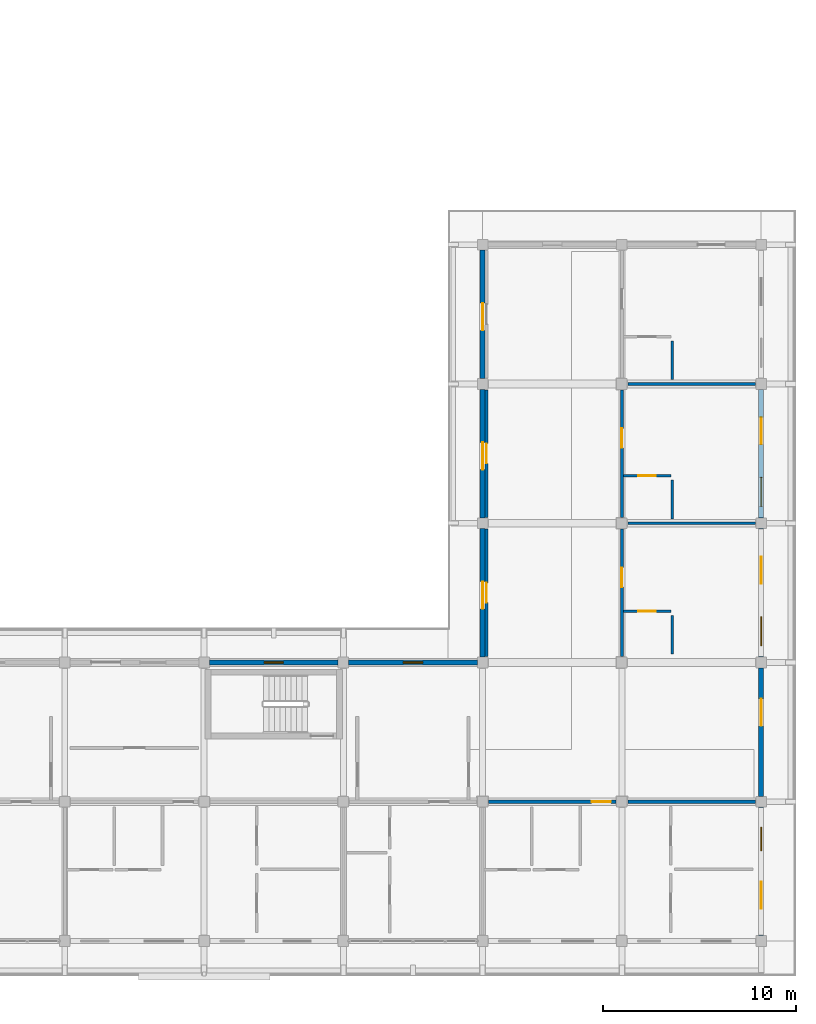
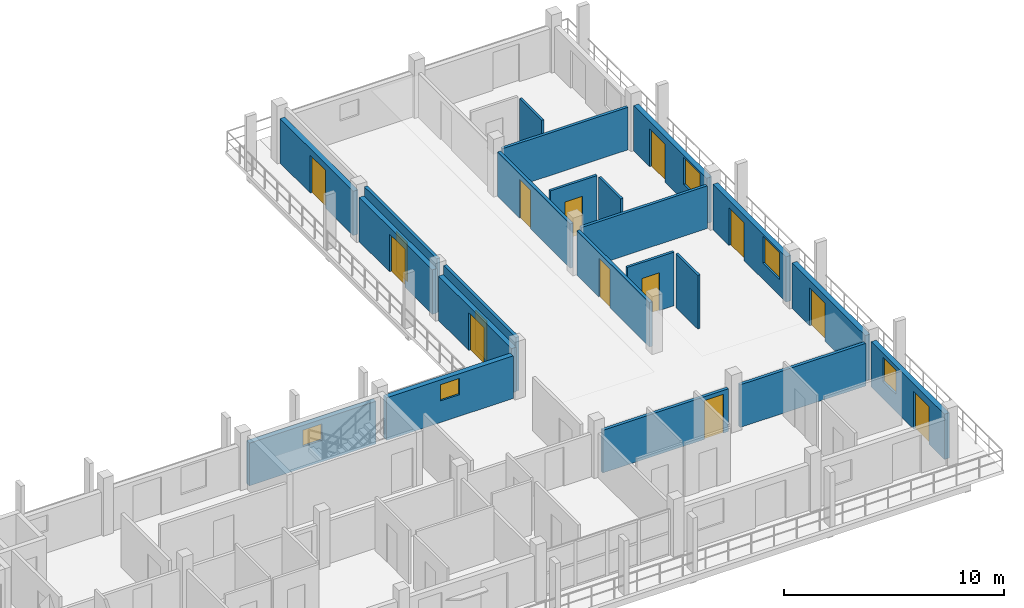
# One storey, part 47 of 73: 22 walls, 14 doors, 5 windows, 19 openings.
"""IFC4 building model written with IfcOpenShell, lengths in metres."""

from ifc_helpers import new_model, si_unit, direction, frame, frame_2d, origin, place, context, subcontext, project, spatial, rectangle, extrude, material, layer, layer_set, type_object, element, fill, save


model = new_model("IFC4")

# Units and contexts
model_context = context("Model", 3, precision=1e-05, world=origin(), true_north=direction((0.0, 1.0)))
body_context = subcontext(model_context, "Body", "Model", "MODEL_VIEW")
ifc_project = project(units=[si_unit("LENGTHUNIT", "METRE"), si_unit("AREAUNIT", "SQUARE_METRE"), si_unit("VOLUMEUNIT", "CUBIC_METRE"), si_unit("PLANEANGLEUNIT", "RADIAN"), si_unit("MASSUNIT", "GRAM", prefix="KILO")], contexts=[model_context])

# Site, building, storey
site_placement = place(None, origin())
site = spatial("IfcSite", under=ifc_project, at=site_placement, CompositionType="ELEMENT")
building_placement = place(site_placement, origin())
building = spatial("IfcBuilding", under=site, at=building_placement, Name="Suanplinth Sawtooth Commons", CompositionType="ELEMENT")
storey_placement = place(building_placement, frame((0.0, 0.0, 21.89990234375)))
storey = spatial("IfcBuildingStorey", under=building, at=storey_placement, Name="L06", CompositionType="ELEMENT", Elevation=21.89990234375)

# Wall, opening, window
ifc_material_1 = material(Name="Precast concrete C40/50", Category="concrete")
ifc_layer_1 = layer(ifc_material_1, 0.260009765625, Name="Insulated precast courtyard facade wall 260mm")
ifc_layer_set_1 = layer_set([ifc_layer_1], Name="Precast concrete C40/50")
wall_type_1 = type_object("IfcWallType", Name="W-EX02", PredefinedType="ELEMENTEDWALL", material=ifc_layer_set_1)
wall_1_placement = place(storey_placement, frame((158.675048828125, 14.39990234375, 0.0), z_axis=(0.0, 0.0, 1.0), x_axis=(1.0, 0.0, 0.0)))
wall_1 = element("IfcWall", 1, at=wall_1_placement, inside=storey, type_object=wall_type_1, Name="Facade Wall W-L06-C-N-22-1", PredefinedType="ELEMENTEDWALL", context=body_context, shape_type="SweptSolid", body=[
    extrude(rectangle(XDim=6.64990234375, YDim=0.260009765625, at=frame_2d((3.324951171875, 0.0))), origin(), (0.0, 0.0, 1.0), 2.364990234375),
])
opening_1_placement = place(wall_1_placement, frame((2.824951171875, 0.0, 1.199951171875)))
opening_1 = element("IfcOpeningElement", 2, at=opening_1_placement, cuts=wall_1, Name="Opening W0612", PredefinedType="OPENING", context=body_context, shape_type="SweptSolid", body=[
    extrude(rectangle(XDim=1.0, YDim=0.89990234375, at=frame_2d((0.5, 0.449951171875))), frame((0.0, 0.14501953125, 0.0), z_axis=(0.0, -1.0, 0.0), x_axis=(1.0, 0.0, 0.0)), (0.0, 0.0, 1.0), 0.289794921875),
])
ifc_material_2 = material(Name="Thermally broken aluminium and low-E double glazing", Category="aluminium")
window_type_1 = type_object("IfcWindowType", Name="WN-12", PartitioningType="SINGLE_PANEL", PredefinedType="WINDOW", material=ifc_material_2)
window_1_placement = place(opening_1_placement, origin())
window_1 = element("IfcWindow", 3, at=window_1_placement, inside=storey, type_object=window_type_1, Name="Core Daylight Window L06-C-22-1", OverallHeight=0.89990234375, OverallWidth=1.0, PartitioningType="SINGLE_PANEL", PredefinedType="WINDOW", context=body_context, shape_type="SweptSolid", body=[
    extrude(rectangle(XDim=1.0, YDim=0.89990234375, at=frame_2d((0.5, 0.449951171875))), frame((0.0, 0.030029296875, 0.0), z_axis=(0.0, -1.0, 0.0), x_axis=(1.0, 0.0, 0.0)), (0.0, 0.0, 1.0), 0.06005859375),
])
fill(opening_1, window_1)

wall_2_placement = place(storey_placement, frame((165.875, 14.39990234375, 0.0), z_axis=(0.0, 0.0, 1.0), x_axis=(1.0, 0.0, 0.0)))
wall_2 = element("IfcWall", 4, at=wall_2_placement, inside=storey, type_object=wall_type_1, Name="Facade Wall W-L06-C-N-23-1", PredefinedType="ELEMENTEDWALL", context=body_context, shape_type="SweptSolid", body=[
    extrude(rectangle(XDim=6.64990234375, YDim=0.260009765625, at=frame_2d((3.324951171875, 0.0))), origin(), (0.0, 0.0, 1.0), 2.364990234375),
])
opening_2_placement = place(wall_2_placement, frame((2.824951171875, 0.0, 1.199951171875)))
opening_2 = element("IfcOpeningElement", 5, at=opening_2_placement, cuts=wall_2, Name="Opening W0613", PredefinedType="OPENING", context=body_context, shape_type="SweptSolid", body=[
    extrude(rectangle(XDim=1.0, YDim=0.89990234375, at=frame_2d((0.5, 0.449951171875))), frame((0.0, 0.14501953125, 0.0), z_axis=(0.0, -1.0, 0.0), x_axis=(1.0, 0.0, 0.0)), (0.0, 0.0, 1.0), 0.289794921875),
])
window_2_placement = place(opening_2_placement, origin())
window_2 = element("IfcWindow", 6, at=window_2_placement, inside=storey, type_object=window_type_1, Name="Core Daylight Window L06-C-23-1", OverallHeight=0.89990234375, OverallWidth=1.0, PartitioningType="SINGLE_PANEL", PredefinedType="WINDOW", context=body_context, shape_type="SweptSolid", body=[
    extrude(rectangle(XDim=1.0, YDim=0.89990234375, at=frame_2d((0.5, 0.449951171875))), frame((0.0, 0.030029296875, 0.0), z_axis=(0.0, -1.0, 0.0), x_axis=(1.0, 0.0, 0.0)), (0.0, 0.0, 1.0), 0.06005859375),
])
fill(opening_2, window_2)

# Wall, opening, door
wall_3_placement = place(storey_placement, frame((172.800048828125, 14.675048828125, 0.0), z_axis=(0.0, 0.0, 1.0), x_axis=(0.0, 1.0, 0.0)))
wall_3 = element("IfcWall", 7, at=wall_3_placement, inside=storey, type_object=wall_type_1, Name="Facade Wall W-L06-C-W-24-2", PredefinedType="ELEMENTEDWALL", context=body_context, shape_type="SweptSolid", body=[
    extrude(rectangle(XDim=6.64990234375, YDim=0.260009765625, at=frame_2d((3.324951171875, 0.0))), origin(), (0.0, 0.0, 1.0), 2.465087890625),
])
opening_3_placement = place(wall_3_placement, frame((2.5, 0.0, 0.0)))
opening_3 = element("IfcOpeningElement", 8, at=opening_3_placement, cuts=wall_3, Name="Opening ED0525", PredefinedType="OPENING", context=body_context, shape_type="SweptSolid", body=[
    extrude(rectangle(XDim=1.39990234375, YDim=2.10009765625, at=frame_2d((0.699951171875, 1.050048828125))), frame((0.0, 0.14501953125, 0.0), z_axis=(0.0, -1.0, 0.0), x_axis=(1.0, 0.0, 0.0)), (0.0, 0.0, 1.0), 0.289794921875),
])
ifc_material_3 = material(Name="Anodized aluminium and low-E glass", Category="aluminium")
door_type_1 = type_object("IfcDoorType", Name="SD-07", OperationType="SLIDING_TO_RIGHT", PredefinedType="DOOR", material=ifc_material_3)
door_1_placement = place(opening_3_placement, frame((1.39990234375, 0.0, 0.0), z_axis=(0.0, 0.0, 1.0), x_axis=(-1.0, 0.0, 0.0)))
door_1 = element("IfcDoor", 9, at=door_1_placement, inside=storey, type_object=door_type_1, Name="Courtyard Veranda Studio Balcony Door L06-C-2", OperationType="SLIDING_TO_RIGHT", OverallHeight=2.10009765625, OverallWidth=1.39990234375, PredefinedType="DOOR", context=body_context, shape_type="SweptSolid", body=[
    extrude(rectangle(XDim=1.39990234375, YDim=2.10009765625, at=frame_2d((0.699951171875, 1.050048828125))), frame((0.0, 0.02490234375, 0.0), z_axis=(0.0, -1.0, 0.0), x_axis=(1.0, 0.0, 0.0)), (0.0, 0.0, 1.0), 0.050048828125),
])
fill(opening_3, door_1)

wall_4_placement = place(storey_placement, frame((172.800048828125, 21.875, 0.0), z_axis=(0.0, 0.0, 1.0), x_axis=(0.0, 1.0, 0.0)))
wall_4 = element("IfcWall", 10, at=wall_4_placement, inside=storey, type_object=wall_type_1, Name="Facade Wall W-L06-C-W-24-3", PredefinedType="ELEMENTEDWALL", context=body_context, shape_type="SweptSolid", body=[
    extrude(rectangle(XDim=6.64990234375, YDim=0.260009765625, at=frame_2d((3.324951171875, 0.0))), origin(), (0.0, 0.0, 1.0), 2.465087890625),
])
opening_4_placement = place(wall_4_placement, frame((2.5, 0.0, 0.0)))
opening_4 = element("IfcOpeningElement", 11, at=opening_4_placement, cuts=wall_4, Name="Opening ED0526", PredefinedType="OPENING", context=body_context, shape_type="SweptSolid", body=[
    extrude(rectangle(XDim=1.39990234375, YDim=2.10009765625, at=frame_2d((0.699951171875, 1.050048828125))), frame((0.0, 0.14501953125, 0.0), z_axis=(0.0, -1.0, 0.0), x_axis=(1.0, 0.0, 0.0)), (0.0, 0.0, 1.0), 0.289794921875),
])
door_2_placement = place(opening_4_placement, frame((1.39990234375, 0.0, 0.0), z_axis=(0.0, 0.0, 1.0), x_axis=(-1.0, 0.0, 0.0)))
door_2 = element("IfcDoor", 12, at=door_2_placement, inside=storey, type_object=door_type_1, Name="Courtyard Veranda Studio Balcony Door L06-C-3", OperationType="SLIDING_TO_RIGHT", OverallHeight=2.10009765625, OverallWidth=1.39990234375, PredefinedType="DOOR", context=body_context, shape_type="SweptSolid", body=[
    extrude(rectangle(XDim=1.39990234375, YDim=2.10009765625, at=frame_2d((0.699951171875, 1.050048828125))), frame((0.0, 0.02490234375, 0.0), z_axis=(0.0, -1.0, 0.0), x_axis=(1.0, 0.0, 0.0)), (0.0, 0.0, 1.0), 0.050048828125),
])
fill(opening_4, door_2)

wall_5_placement = place(storey_placement, frame((172.800048828125, 29.074951171875, 0.0), z_axis=(0.0, 0.0, 1.0), x_axis=(0.0, 1.0, 0.0)))
wall_5 = element("IfcWall", 13, at=wall_5_placement, inside=storey, type_object=wall_type_1, Name="Facade Wall W-L06-C-W-24-4", PredefinedType="ELEMENTEDWALL", context=body_context, shape_type="SweptSolid", body=[
    extrude(rectangle(XDim=6.650146484375, YDim=0.260009765625, at=frame_2d((3.3251953125, 0.0))), origin(), (0.0, 0.0, 1.0), 2.465087890625),
])
opening_5_placement = place(wall_5_placement, frame((2.5, 0.0, 0.0)))
opening_5 = element("IfcOpeningElement", 14, at=opening_5_placement, cuts=wall_5, Name="Opening ED0527", PredefinedType="OPENING", context=body_context, shape_type="SweptSolid", body=[
    extrude(rectangle(XDim=1.39990234375, YDim=2.10009765625, at=frame_2d((0.699951171875, 1.050048828125))), frame((0.0, 0.14501953125, 0.0), z_axis=(0.0, -1.0, 0.0), x_axis=(1.0, 0.0, 0.0)), (0.0, 0.0, 1.0), 0.289794921875),
])
door_3_placement = place(opening_5_placement, frame((1.39990234375, 0.0, 0.0), z_axis=(0.0, 0.0, 1.0), x_axis=(-1.0, 0.0, 0.0)))
door_3 = element("IfcDoor", 15, at=door_3_placement, inside=storey, type_object=door_type_1, Name="Courtyard Veranda Studio Balcony Door L06-C-4", OperationType="SLIDING_TO_RIGHT", OverallHeight=2.10009765625, OverallWidth=1.39990234375, PredefinedType="DOOR", context=body_context, shape_type="SweptSolid", body=[
    extrude(rectangle(XDim=1.39990234375, YDim=2.10009765625, at=frame_2d((0.699951171875, 1.050048828125))), frame((0.0, 0.02490234375, 0.0), z_axis=(0.0, -1.0, 0.0), x_axis=(1.0, 0.0, 0.0)), (0.0, 0.0, 1.0), 0.050048828125),
])
fill(opening_5, door_3)

# Wall, openings, door, window
wall_6_placement = place(storey_placement, frame((187.199951171875, 0.27490234375, 0.0), z_axis=(0.0, 0.0, 1.0), x_axis=(0.0, 1.0, 0.0)))
wall_6 = element("IfcWall", 16, at=wall_6_placement, inside=storey, type_object=wall_type_1, Name="Facade Wall W-L06-C-E-25-0", PredefinedType="ELEMENTEDWALL", context=body_context, shape_type="SweptSolid", body=[
    extrude(rectangle(XDim=6.650146484375, YDim=0.260009765625, at=frame_2d((3.3251953125, 0.0))), origin(), (0.0, 0.0, 1.0), 2.51513671875),
])
opening_6_placement = place(wall_6_placement, frame((1.39990234375, 0.0, 0.0)))
opening_6 = element("IfcOpeningElement", 17, at=opening_6_placement, cuts=wall_6, Name="Opening ED0529", PredefinedType="OPENING", context=body_context, shape_type="SweptSolid", body=[
    extrude(rectangle(XDim=1.39990234375, YDim=2.10009765625, at=frame_2d((0.699951171875, 1.050048828125))), frame((0.0, 0.14501953125, 0.0), z_axis=(0.0, -1.0, 0.0), x_axis=(1.0, 0.0, 0.0)), (0.0, 0.0, 1.0), 0.289794921875),
])
opening_7_placement = place(wall_6_placement, frame((4.39990234375, 0.0, 0.949951171875)))
opening_7 = element("IfcOpeningElement", 18, at=opening_7_placement, cuts=wall_6, Name="Opening W0617", PredefinedType="OPENING", context=body_context, shape_type="SweptSolid", body=[
    extrude(rectangle(XDim=1.199951171875, YDim=1.35009765625, at=frame_2d((0.60009765625, 0.675048828125))), frame((0.0, 0.14501953125, 0.0), z_axis=(0.0, -1.0, 0.0), x_axis=(1.0, 0.0, 0.0)), (0.0, 0.0, 1.0), 0.289794921875),
])
door_4_placement = place(opening_6_placement, frame((1.39990234375, 0.0, 0.0), z_axis=(0.0, 0.0, 1.0), x_axis=(-1.0, 0.0, 0.0)))
door_4 = element("IfcDoor", 19, at=door_4_placement, inside=storey, type_object=door_type_1, Name="End Balcony Sliding Door L06-C-E-25-0", OperationType="SLIDING_TO_RIGHT", OverallHeight=2.10009765625, OverallWidth=1.39990234375, PredefinedType="DOOR", context=body_context, shape_type="SweptSolid", body=[
    extrude(rectangle(XDim=1.39990234375, YDim=2.10009765625, at=frame_2d((0.699951171875, 1.050048828125))), frame((0.0, 0.02490234375, 0.0), z_axis=(0.0, -1.0, 0.0), x_axis=(1.0, 0.0, 0.0)), (0.0, 0.0, 1.0), 0.050048828125),
])
fill(opening_6, door_4)
window_type_2 = type_object("IfcWindowType", Name="WN-03", PartitioningType="SINGLE_PANEL", PredefinedType="WINDOW", material=ifc_material_2)
window_3_placement = place(opening_7_placement, origin())
window_3 = element("IfcWindow", 20, at=window_3_placement, inside=storey, type_object=window_type_2, Name="End Bedroom Window L06-C-25-0", OverallHeight=1.35009765625, OverallWidth=1.199951171875, PartitioningType="SINGLE_PANEL", PredefinedType="WINDOW", context=body_context, shape_type="SweptSolid", body=[
    extrude(rectangle(XDim=1.199951171875, YDim=1.35009765625, at=frame_2d((0.60009765625, 0.675048828125))), frame((0.0, 0.030029296875, 0.0), z_axis=(0.0, -1.0, 0.0), x_axis=(1.0, 0.0, 0.0)), (0.0, 0.0, 1.0), 0.06005859375),
])
fill(opening_7, window_3)

# Wall, opening, door
wall_7_placement = place(storey_placement, frame((187.199951171875, 7.47509765625, 0.0), z_axis=(0.0, 0.0, 1.0), x_axis=(0.0, 1.0, 0.0)))
wall_7 = element("IfcWall", 21, at=wall_7_placement, inside=storey, type_object=wall_type_1, Name="Facade Wall W-L06-C-E-25-1", PredefinedType="ELEMENTEDWALL", context=body_context, shape_type="SweptSolid", body=[
    extrude(rectangle(XDim=6.64990234375, YDim=0.260009765625, at=frame_2d((3.324951171875, 0.0))), origin(), (0.0, 0.0, 1.0), 2.51513671875),
])
opening_8_placement = place(wall_7_placement, frame((3.64990234375, 0.0, 0.0)))
opening_8 = element("IfcOpeningElement", 22, at=opening_8_placement, cuts=wall_7, Name="Opening ED0530", PredefinedType="OPENING", context=body_context, shape_type="SweptSolid", body=[
    extrude(rectangle(XDim=1.39990234375, YDim=2.10009765625, at=frame_2d((0.699951171875, 1.050048828125))), frame((0.0, 0.14501953125, 0.0), z_axis=(0.0, -1.0, 0.0), x_axis=(1.0, 0.0, 0.0)), (0.0, 0.0, 1.0), 0.289794921875),
])
door_5_placement = place(opening_8_placement, frame((1.39990234375, 0.0, 0.0), z_axis=(0.0, 0.0, 1.0), x_axis=(-1.0, 0.0, 0.0)))
door_5 = element("IfcDoor", 23, at=door_5_placement, inside=storey, type_object=door_type_1, Name="End Balcony Sliding Door L06-C-E-25-1", OperationType="SLIDING_TO_RIGHT", OverallHeight=2.10009765625, OverallWidth=1.39990234375, PredefinedType="DOOR", context=body_context, shape_type="SweptSolid", body=[
    extrude(rectangle(XDim=1.39990234375, YDim=2.10009765625, at=frame_2d((0.699951171875, 1.050048828125))), frame((0.0, 0.02490234375, 0.0), z_axis=(0.0, -1.0, 0.0), x_axis=(1.0, 0.0, 0.0)), (0.0, 0.0, 1.0), 0.050048828125),
])
fill(opening_8, door_5)

# Wall, openings, door, window
wall_8_placement = place(storey_placement, frame((187.199951171875, 14.675048828125, 0.0), z_axis=(0.0, 0.0, 1.0), x_axis=(0.0, 1.0, 0.0)))
wall_8 = element("IfcWall", 24, at=wall_8_placement, inside=storey, type_object=wall_type_1, Name="Facade Wall W-L06-C-E-25-2", PredefinedType="ELEMENTEDWALL", context=body_context, shape_type="SweptSolid", body=[
    extrude(rectangle(XDim=6.64990234375, YDim=0.260009765625, at=frame_2d((3.324951171875, 0.0))), origin(), (0.0, 0.0, 1.0), 2.51513671875),
])
opening_9_placement = place(wall_8_placement, frame((3.800048828125, 0.0, 0.0)))
opening_9 = element("IfcOpeningElement", 25, at=opening_9_placement, cuts=wall_8, Name="Opening ED0531", PredefinedType="OPENING", context=body_context, shape_type="SweptSolid", body=[
    extrude(rectangle(XDim=1.39990234375, YDim=2.10009765625, at=frame_2d((0.699951171875, 1.050048828125))), frame((0.0, 0.14501953125, 0.0), z_axis=(0.0, -1.0, 0.0), x_axis=(1.0, 0.0, 0.0)), (0.0, 0.0, 1.0), 0.289794921875),
])
opening_10_placement = place(wall_8_placement, frame((0.60009765625, 0.0, 0.905029296875)))
opening_10 = element("IfcOpeningElement", 26, at=opening_10_placement, cuts=wall_8, Name="Opening W0618", PredefinedType="OPENING", context=body_context, shape_type="SweptSolid", body=[
    extrude(rectangle(XDim=1.5, YDim=1.5, at=frame_2d((0.75, 0.75))), frame((0.0, 0.14501953125, 0.0), z_axis=(0.0, -1.0, 0.0), x_axis=(1.0, 0.0, 0.0)), (0.0, 0.0, 1.0), 0.289794921875),
])
door_6_placement = place(opening_9_placement, frame((1.39990234375, 0.0, 0.0), z_axis=(0.0, 0.0, 1.0), x_axis=(-1.0, 0.0, 0.0)))
door_6 = element("IfcDoor", 27, at=door_6_placement, inside=storey, type_object=door_type_1, Name="Wing Balcony Sliding Door L06-C-2", OperationType="SLIDING_TO_RIGHT", OverallHeight=2.10009765625, OverallWidth=1.39990234375, PredefinedType="DOOR", context=body_context, shape_type="SweptSolid", body=[
    extrude(rectangle(XDim=1.39990234375, YDim=2.10009765625, at=frame_2d((0.699951171875, 1.050048828125))), frame((0.0, 0.02490234375, 0.0), z_axis=(0.0, -1.0, 0.0), x_axis=(1.0, 0.0, 0.0)), (0.0, 0.0, 1.0), 0.050048828125),
])
fill(opening_9, door_6)
window_type_3 = type_object("IfcWindowType", Name="WN-02", PartitioningType="DOUBLE_PANEL_VERTICAL", PredefinedType="WINDOW", material=ifc_material_2)
window_4_placement = place(opening_10_placement, origin())
window_4 = element("IfcWindow", 28, at=window_4_placement, inside=storey, type_object=window_type_3, Name="Wing Window L06-C-2", OverallHeight=1.5, OverallWidth=1.5, PartitioningType="DOUBLE_PANEL_VERTICAL", PredefinedType="WINDOW", context=body_context, shape_type="SweptSolid", body=[
    extrude(rectangle(XDim=1.5, YDim=1.5, at=frame_2d((0.75, 0.75))), frame((0.0, 0.030029296875, 0.0), z_axis=(0.0, -1.0, 0.0), x_axis=(1.0, 0.0, 0.0)), (0.0, 0.0, 1.0), 0.06005859375),
])
fill(opening_10, window_4)

wall_9_placement = place(storey_placement, frame((187.199951171875, 21.875, 0.0), z_axis=(0.0, 0.0, 1.0), x_axis=(0.0, 1.0, 0.0)))
wall_9 = element("IfcWall", 29, at=wall_9_placement, inside=storey, type_object=wall_type_1, Name="Facade Wall W-L06-C-E-25-3", PredefinedType="ELEMENTEDWALL", context=body_context, shape_type="SweptSolid", body=[
    extrude(rectangle(XDim=6.64990234375, YDim=0.260009765625, at=frame_2d((3.324951171875, 0.0))), origin(), (0.0, 0.0, 1.0), 2.51513671875),
])
opening_11_placement = place(wall_9_placement, frame((3.800048828125, 0.0, 0.0)))
opening_11 = element("IfcOpeningElement", 30, at=opening_11_placement, cuts=wall_9, Name="Opening ED0532", PredefinedType="OPENING", context=body_context, shape_type="SweptSolid", body=[
    extrude(rectangle(XDim=1.39990234375, YDim=2.10009765625, at=frame_2d((0.699951171875, 1.050048828125))), frame((0.0, 0.14501953125, 0.0), z_axis=(0.0, -1.0, 0.0), x_axis=(1.0, 0.0, 0.0)), (0.0, 0.0, 1.0), 0.289794921875),
])
opening_12_placement = place(wall_9_placement, frame((0.60009765625, 0.0, 0.905029296875)))
opening_12 = element("IfcOpeningElement", 31, at=opening_12_placement, cuts=wall_9, Name="Opening W0619", PredefinedType="OPENING", context=body_context, shape_type="SweptSolid", body=[
    extrude(rectangle(XDim=1.5, YDim=1.5, at=frame_2d((0.75, 0.75))), frame((0.0, 0.14501953125, 0.0), z_axis=(0.0, -1.0, 0.0), x_axis=(1.0, 0.0, 0.0)), (0.0, 0.0, 1.0), 0.289794921875),
])
door_7_placement = place(opening_11_placement, frame((1.39990234375, 0.0, 0.0), z_axis=(0.0, 0.0, 1.0), x_axis=(-1.0, 0.0, 0.0)))
door_7 = element("IfcDoor", 32, at=door_7_placement, inside=storey, type_object=door_type_1, Name="Wing Balcony Sliding Door L06-C-3", OperationType="SLIDING_TO_RIGHT", OverallHeight=2.10009765625, OverallWidth=1.39990234375, PredefinedType="DOOR", context=body_context, shape_type="SweptSolid", body=[
    extrude(rectangle(XDim=1.39990234375, YDim=2.10009765625, at=frame_2d((0.699951171875, 1.050048828125))), frame((0.0, 0.02490234375, 0.0), z_axis=(0.0, -1.0, 0.0), x_axis=(1.0, 0.0, 0.0)), (0.0, 0.0, 1.0), 0.050048828125),
])
fill(opening_11, door_7)
window_5_placement = place(opening_12_placement, origin())
window_5 = element("IfcWindow", 33, at=window_5_placement, inside=storey, type_object=window_type_3, Name="Wing Window L06-C-3", OverallHeight=1.5, OverallWidth=1.5, PartitioningType="DOUBLE_PANEL_VERTICAL", PredefinedType="WINDOW", context=body_context, shape_type="SweptSolid", body=[
    extrude(rectangle(XDim=1.5, YDim=1.5, at=frame_2d((0.75, 0.75))), frame((0.0, 0.030029296875, 0.0), z_axis=(0.0, -1.0, 0.0), x_axis=(1.0, 0.0, 0.0)), (0.0, 0.0, 1.0), 0.06005859375),
])
fill(opening_12, window_5)

# Wall, opening, door
ifc_layer_2 = layer(ifc_material_1, 0.159912109375, Name="Fire-rated corridor and lobby wall 160mm")
ifc_layer_set_2 = layer_set([ifc_layer_2], Name="Precast concrete C40/50")
wall_type_2 = type_object("IfcWallType", Name="W-FW01", PredefinedType="PARTITIONING", material=ifc_layer_set_2)
wall_10_placement = place(storey_placement, frame((173.10498046875, 7.199951171875, 0.0), z_axis=(0.0, 0.0, 1.0), x_axis=(1.0, 0.0, 0.0)))
wall_10 = element("IfcWall", 34, at=wall_10_placement, inside=storey, type_object=wall_type_2, Name="W-C-L06-U05-COR-S1", PredefinedType="PARTITIONING", context=body_context, shape_type="SweptSolid", body=[
    extrude(rectangle(XDim=6.590087890625, YDim=0.159912109375, at=frame_2d((3.294921875, 0.0))), origin(), (0.0, 0.0, 1.0), 2.364990234375),
])
opening_13_placement = place(wall_10_placement, frame((5.324951171875, 0.0, 0.0)))
opening_13 = element("IfcOpeningElement", 35, at=opening_13_placement, cuts=wall_10, Name="Opening FD1454", PredefinedType="OPENING", context=body_context, shape_type="SweptSolid", body=[
    extrude(rectangle(XDim=1.0, YDim=2.14990234375, at=frame_2d((0.5, 1.074951171875))), frame((0.0, 0.0947265625, 0.0), z_axis=(0.0, -1.0, 0.0), x_axis=(1.0, 0.0, 0.0)), (0.0, 0.0, 1.0), 0.189697265625),
])
ifc_material_4 = material(Name="Teak hardwood fire-rated door assembly", Category="wood")
door_type_2 = type_object("IfcDoorType", Name="FD-03", OperationType="NOTDEFINED", PredefinedType="DOOR", material=ifc_material_4)
door_8_placement = place(opening_13_placement, frame((1.0, 0.0, 0.0), z_axis=(0.0, 0.0, 1.0), x_axis=(-1.0, 0.0, 0.0)))
door_8 = element("IfcDoor", 36, at=door_8_placement, inside=storey, type_object=door_type_2, Name="Unit Entrance Door FD1454", OperationType="SINGLE_SWING_RIGHT", OverallHeight=2.14990234375, OverallWidth=1.0, PredefinedType="DOOR", context=body_context, shape_type="SweptSolid", body=[
    extrude(rectangle(XDim=1.0, YDim=2.14990234375, at=frame_2d((0.5, 1.074951171875))), frame((0.0, 0.02490234375, 0.0), z_axis=(0.0, -1.0, 0.0), x_axis=(1.0, 0.0, 0.0)), (0.0, 0.0, 1.0), 0.050048828125),
])
fill(opening_13, door_8)

# Wall
wall_11_placement = place(storey_placement, frame((180.304931640625, 7.199951171875, 0.0), z_axis=(0.0, 0.0, 1.0), x_axis=(1.0, 0.0, 0.0)))
element("IfcWall", 37, at=wall_11_placement, inside=storey, type_object=wall_type_2, Name="W-C-L06-U05-COR-S2", PredefinedType="PARTITIONING", context=body_context, shape_type="SweptSolid", body=[
    extrude(rectangle(XDim=6.590087890625, YDim=0.159912109375, at=frame_2d((3.294921875, 0.0))), origin(), (0.0, 0.0, 1.0), 2.364990234375),
])

# Wall, opening, door
wall_12_placement = place(storey_placement, frame((180.0, 14.705078125, 0.0), z_axis=(0.0, 0.0, 1.0), x_axis=(0.0, 1.0, 0.0)))
wall_12 = element("IfcWall", 38, at=wall_12_placement, inside=storey, type_object=wall_type_2, Name="W-C-L06-L01-COR", PredefinedType="PARTITIONING", context=body_context, shape_type="SweptSolid", body=[
    extrude(rectangle(XDim=6.58984375, YDim=0.159912109375, at=frame_2d((3.294921875, 0.0))), origin(), (0.0, 0.0, 1.0), 2.465087890625),
])
opening_14_placement = place(wall_12_placement, frame((3.594970703125, 0.0, 0.0)))
opening_14 = element("IfcOpeningElement", 39, at=opening_14_placement, cuts=wall_12, Name="Opening FD1461", PredefinedType="OPENING", context=body_context, shape_type="SweptSolid", body=[
    extrude(rectangle(XDim=1.0, YDim=2.14990234375, at=frame_2d((0.5, 1.074951171875))), frame((0.0, 0.0947265625, 0.0), z_axis=(0.0, -1.0, 0.0), x_axis=(1.0, 0.0, 0.0)), (0.0, 0.0, 1.0), 0.189697265625),
])
door_9_placement = place(opening_14_placement, frame((1.0, 0.0, 0.0), z_axis=(0.0, 0.0, 1.0), x_axis=(-1.0, 0.0, 0.0)))
door_9 = element("IfcDoor", 40, at=door_9_placement, inside=storey, type_object=door_type_2, Name="Wing Unit Entrance Door FD1461", OperationType="SINGLE_SWING_LEFT", OverallHeight=2.14990234375, OverallWidth=1.0, PredefinedType="DOOR", context=body_context, shape_type="SweptSolid", body=[
    extrude(rectangle(XDim=1.0, YDim=2.14990234375, at=frame_2d((0.5, 1.074951171875))), frame((0.0, 0.02490234375, 0.0), z_axis=(0.0, -1.0, 0.0), x_axis=(1.0, 0.0, 0.0)), (0.0, 0.0, 1.0), 0.050048828125),
])
fill(opening_14, door_9)

wall_13_placement = place(storey_placement, frame((173.0, 14.705078125, 0.0), z_axis=(0.0, 0.0, 1.0), x_axis=(0.0, 1.0, 0.0)))
wall_13 = element("IfcWall", 41, at=wall_13_placement, inside=storey, type_object=wall_type_2, Name="W-C-L06-LEGCOURTROOM-43-COR", PredefinedType="PARTITIONING", context=body_context, shape_type="SweptSolid", body=[
    extrude(rectangle(XDim=6.58984375, YDim=0.159912109375, at=frame_2d((3.294921875, 0.0))), origin(), (0.0, 0.0, 1.0), 2.97998046875),
])
opening_15_placement = place(wall_13_placement, frame((2.784912109375, 0.0, 0.0)))
opening_15 = element("IfcOpeningElement", 42, at=opening_15_placement, cuts=wall_13, Name="Opening D1463", PredefinedType="OPENING", context=body_context, shape_type="SweptSolid", body=[
    extrude(rectangle(XDim=1.02001953125, YDim=2.179931640625, at=frame_2d((0.510009765625, 1.08984375))), frame((0.0, 0.0947265625, 0.0), z_axis=(0.0, -1.0, 0.0), x_axis=(1.0, 0.0, 0.0)), (0.0, 0.0, 1.0), 0.189697265625),
])
ifc_material_5 = material(Name="Teak hardwood", Category="wood")
door_type_3 = type_object("IfcDoorType", Name="D-16", OperationType="NOTDEFINED", PredefinedType="DOOR", material=ifc_material_5)
door_10_placement = place(opening_15_placement, origin())
door_10 = element("IfcDoor", 43, at=door_10_placement, inside=storey, type_object=door_type_3, Name="Veranda Studio Door D1463", OperationType="SINGLE_SWING_LEFT", OverallHeight=2.179931640625, OverallWidth=1.02001953125, PredefinedType="DOOR", context=body_context, shape_type="SweptSolid", body=[
    extrude(rectangle(XDim=1.02001953125, YDim=2.179931640625, at=frame_2d((0.510009765625, 1.08984375))), frame((0.0, 0.02490234375, 0.0), z_axis=(0.0, -1.0, 0.0), x_axis=(1.0, 0.0, 0.0)), (0.0, 0.0, 1.0), 0.050048828125),
])
fill(opening_15, door_10)

wall_14_placement = place(storey_placement, frame((180.0, 21.905029296875, 0.0), z_axis=(0.0, 0.0, 1.0), x_axis=(0.0, 1.0, 0.0)))
wall_14 = element("IfcWall", 44, at=wall_14_placement, inside=storey, type_object=wall_type_2, Name="W-C-L06-L02-COR", PredefinedType="PARTITIONING", context=body_context, shape_type="SweptSolid", body=[
    extrude(rectangle(XDim=6.590087890625, YDim=0.159912109375, at=frame_2d((3.294921875, 0.0))), origin(), (0.0, 0.0, 1.0), 2.465087890625),
])
opening_16_placement = place(wall_14_placement, frame((3.594970703125, 0.0, 0.0)))
opening_16 = element("IfcOpeningElement", 45, at=opening_16_placement, cuts=wall_14, Name="Opening FD1464", PredefinedType="OPENING", context=body_context, shape_type="SweptSolid", body=[
    extrude(rectangle(XDim=1.0, YDim=2.14990234375, at=frame_2d((0.5, 1.074951171875))), frame((0.0, 0.0947265625, 0.0), z_axis=(0.0, -1.0, 0.0), x_axis=(1.0, 0.0, 0.0)), (0.0, 0.0, 1.0), 0.189697265625),
])
door_11_placement = place(opening_16_placement, frame((1.0, 0.0, 0.0), z_axis=(0.0, 0.0, 1.0), x_axis=(-1.0, 0.0, 0.0)))
door_11 = element("IfcDoor", 46, at=door_11_placement, inside=storey, type_object=door_type_2, Name="Wing Unit Entrance Door FD1464", OperationType="SINGLE_SWING_RIGHT", OverallHeight=2.14990234375, OverallWidth=1.0, PredefinedType="DOOR", context=body_context, shape_type="SweptSolid", body=[
    extrude(rectangle(XDim=1.0, YDim=2.14990234375, at=frame_2d((0.5, 1.074951171875))), frame((0.0, 0.02490234375, 0.0), z_axis=(0.0, -1.0, 0.0), x_axis=(1.0, 0.0, 0.0)), (0.0, 0.0, 1.0), 0.050048828125),
])
fill(opening_16, door_11)

wall_15_placement = place(storey_placement, frame((173.0, 21.905029296875, 0.0), z_axis=(0.0, 0.0, 1.0), x_axis=(0.0, 1.0, 0.0)))
wall_15 = element("IfcWall", 47, at=wall_15_placement, inside=storey, type_object=wall_type_2, Name="W-C-L06-LEGCOURTROOM-45-COR", PredefinedType="PARTITIONING", context=body_context, shape_type="SweptSolid", body=[
    extrude(rectangle(XDim=6.590087890625, YDim=0.159912109375, at=frame_2d((3.294921875, 0.0))), origin(), (0.0, 0.0, 1.0), 2.97998046875),
])
opening_17_placement = place(wall_15_placement, frame((2.784912109375, 0.0, 0.0)))
opening_17 = element("IfcOpeningElement", 48, at=opening_17_placement, cuts=wall_15, Name="Opening D1466", PredefinedType="OPENING", context=body_context, shape_type="SweptSolid", body=[
    extrude(rectangle(XDim=1.02001953125, YDim=2.179931640625, at=frame_2d((0.510009765625, 1.08984375))), frame((0.0, 0.0947265625, 0.0), z_axis=(0.0, -1.0, 0.0), x_axis=(1.0, 0.0, 0.0)), (0.0, 0.0, 1.0), 0.189697265625),
])
door_12_placement = place(opening_17_placement, origin())
door_12 = element("IfcDoor", 49, at=door_12_placement, inside=storey, type_object=door_type_3, Name="Veranda Studio Door D1466", OperationType="SINGLE_SWING_RIGHT", OverallHeight=2.179931640625, OverallWidth=1.02001953125, PredefinedType="DOOR", context=body_context, shape_type="SweptSolid", body=[
    extrude(rectangle(XDim=1.02001953125, YDim=2.179931640625, at=frame_2d((0.510009765625, 1.08984375))), frame((0.0, 0.02490234375, 0.0), z_axis=(0.0, -1.0, 0.0), x_axis=(1.0, 0.0, 0.0)), (0.0, 0.0, 1.0), 0.050048828125),
])
fill(opening_17, door_12)

# Walls
ifc_layer_3 = layer(ifc_material_1, 0.14990234375, Name="Acoustic precast party demising wall 150mm")
ifc_layer_set_3 = layer_set([ifc_layer_3], Name="Precast concrete C40/50")
wall_type_3 = type_object("IfcWallType", Name="W-FW02", PredefinedType="PARTITIONING", material=ifc_layer_set_3)
for number, where, z_axis, x_axis, name in (
    (50, (180.304931640625, 21.60009765625, 0.0), (0.0, 0.0, 1.0), (1.0, 0.0, 0.0), "W-C-L06-L01-PTY"),
    (51, (180.304931640625, 28.800048828125, 0.0), (0.0, 0.0, 1.0), (1.0, 0.0, 0.0), "W-C-L06-L02-PTY"),
):
    element("IfcWall", number, at=place(storey_placement, frame(where, z_axis=z_axis, x_axis=x_axis)), inside=storey, type_object=wall_type_3, Name=name, PredefinedType="PARTITIONING", context=body_context, shape_type="SweptSolid", body=[
        extrude(rectangle(XDim=6.590087890625, YDim=0.14990234375, at=frame_2d((3.294921875, 0.0))), origin(), (0.0, 0.0, 1.0), 2.364990234375),
    ])

# Wall, opening, door
ifc_material_6 = material(Name="Gypsum plasterboard on steel stud", Category="steel")
ifc_layer_4 = layer(ifc_material_6, 0.1298828125, Name="Moisture-resistant bathroom partition 130mm")
ifc_layer_set_4 = layer_set([ifc_layer_4], Name="Gypsum plasterboard on steel stud")
wall_type_4 = type_object("IfcWallType", Name="W-PT02", PredefinedType="PARTITIONING", material=ifc_layer_set_4)
wall_16_placement = place(storey_placement, frame((180.080078125, 17.044921875, 0.0), z_axis=(0.0, 0.0, 1.0), x_axis=(1.0, 0.0, 0.0)))
wall_16 = element("IfcWall", 52, at=wall_16_placement, inside=storey, type_object=wall_type_4, Name="W-C-L06-L01-BTH1", PredefinedType="PARTITIONING", context=body_context, shape_type="SweptSolid", body=[
    extrude(rectangle(XDim=2.449951171875, YDim=0.1298828125, at=frame_2d((1.22509765625, 0.0))), origin(), (0.0, 0.0, 1.0), 2.97998046875),
])
opening_18_placement = place(wall_16_placement, frame((0.77490234375, 0.0, 0.0)))
opening_18 = element("IfcOpeningElement", 53, at=opening_18_placement, cuts=wall_16, Name="Opening D1462", PredefinedType="OPENING", context=body_context, shape_type="SweptSolid", body=[
    extrude(rectangle(XDim=0.89990234375, YDim=2.10009765625, at=frame_2d((0.449951171875, 1.050048828125))), frame((0.0, 0.079833984375, 0.0), z_axis=(0.0, -1.0, 0.0), x_axis=(1.0, 0.0, 0.0)), (0.0, 0.0, 1.0), 0.15966796875),
])
door_type_4 = type_object("IfcDoorType", Name="D-01", OperationType="NOTDEFINED", PredefinedType="DOOR", material=ifc_material_5)
door_13_placement = place(opening_18_placement, frame((0.89990234375, 0.0, 0.0), z_axis=(0.0, 0.0, 1.0), x_axis=(-1.0, 0.0, 0.0)))
door_13 = element("IfcDoor", 54, at=door_13_placement, inside=storey, type_object=door_type_4, Name="Bathroom Door D1462", OperationType="SINGLE_SWING_RIGHT", OverallHeight=2.10009765625, OverallWidth=0.89990234375, PredefinedType="DOOR", context=body_context, shape_type="SweptSolid", body=[
    extrude(rectangle(XDim=0.89990234375, YDim=2.10009765625, at=frame_2d((0.449951171875, 1.050048828125))), frame((0.0, 0.02490234375, 0.0), z_axis=(0.0, -1.0, 0.0), x_axis=(1.0, 0.0, 0.0)), (0.0, 0.0, 1.0), 0.050048828125),
])
fill(opening_18, door_13)

# Wall
wall_17_placement = place(storey_placement, frame((182.594970703125, 14.830078125, 0.0), z_axis=(0.0, 0.0, 1.0), x_axis=(0.0, 1.0, 0.0)))
element("IfcWall", 55, at=wall_17_placement, inside=storey, type_object=wall_type_4, Name="W-C-L06-L01-BTH2", PredefinedType="PARTITIONING", context=body_context, shape_type="SweptSolid", body=[
    extrude(rectangle(XDim=2.0, YDim=0.1298828125, at=frame_2d((1.0, 0.0))), origin(), (0.0, 0.0, 1.0), 2.97998046875),
])

# Wall, opening, door
wall_18_placement = place(storey_placement, frame((180.080078125, 24.044921875, 0.0), z_axis=(0.0, 0.0, 1.0), x_axis=(1.0, 0.0, 0.0)))
wall_18 = element("IfcWall", 56, at=wall_18_placement, inside=storey, type_object=wall_type_4, Name="W-C-L06-L02-BTH1", PredefinedType="PARTITIONING", context=body_context, shape_type="SweptSolid", body=[
    extrude(rectangle(XDim=2.449951171875, YDim=0.1298828125, at=frame_2d((1.22509765625, 0.0))), origin(), (0.0, 0.0, 1.0), 2.97998046875),
])
opening_19_placement = place(wall_18_placement, frame((0.77490234375, 0.0, 0.0)))
opening_19 = element("IfcOpeningElement", 57, at=opening_19_placement, cuts=wall_18, Name="Opening D1465", PredefinedType="OPENING", context=body_context, shape_type="SweptSolid", body=[
    extrude(rectangle(XDim=0.89990234375, YDim=2.10009765625, at=frame_2d((0.449951171875, 1.050048828125))), frame((0.0, 0.079833984375, 0.0), z_axis=(0.0, -1.0, 0.0), x_axis=(1.0, 0.0, 0.0)), (0.0, 0.0, 1.0), 0.15966796875),
])
door_14_placement = place(opening_19_placement, frame((0.89990234375, 0.0, 0.0), z_axis=(0.0, 0.0, 1.0), x_axis=(-1.0, 0.0, 0.0)))
door_14 = element("IfcDoor", 58, at=door_14_placement, inside=storey, type_object=door_type_4, Name="Bathroom Door D1465", OperationType="SINGLE_SWING_LEFT", OverallHeight=2.10009765625, OverallWidth=0.89990234375, PredefinedType="DOOR", context=body_context, shape_type="SweptSolid", body=[
    extrude(rectangle(XDim=0.89990234375, YDim=2.10009765625, at=frame_2d((0.449951171875, 1.050048828125))), frame((0.0, 0.02490234375, 0.0), z_axis=(0.0, -1.0, 0.0), x_axis=(1.0, 0.0, 0.0)), (0.0, 0.0, 1.0), 0.050048828125),
])
fill(opening_19, door_14)

# Walls
for number, where, z_axis, x_axis, name in (
    (59, (182.594970703125, 21.830078125, 0.0), (0.0, 0.0, 1.0), (0.0, 1.0, 0.0), "W-C-L06-L02-BTH2"),
    (60, (182.594970703125, 29.030029296875, 0.0), (0.0, 0.0, 1.0), (0.0, 1.0, 0.0), "W-C-L06-L03-BTH2"),
):
    element("IfcWall", number, at=place(storey_placement, frame(where, z_axis=z_axis, x_axis=x_axis)), inside=storey, type_object=wall_type_4, Name=name, PredefinedType="PARTITIONING", context=body_context, shape_type="SweptSolid", body=[
        extrude(rectangle(XDim=2.0, YDim=0.1298828125, at=frame_2d((1.0, 0.0))), origin(), (0.0, 0.0, 1.0), 2.97998046875),
    ])

save(model, "model.ifc")
